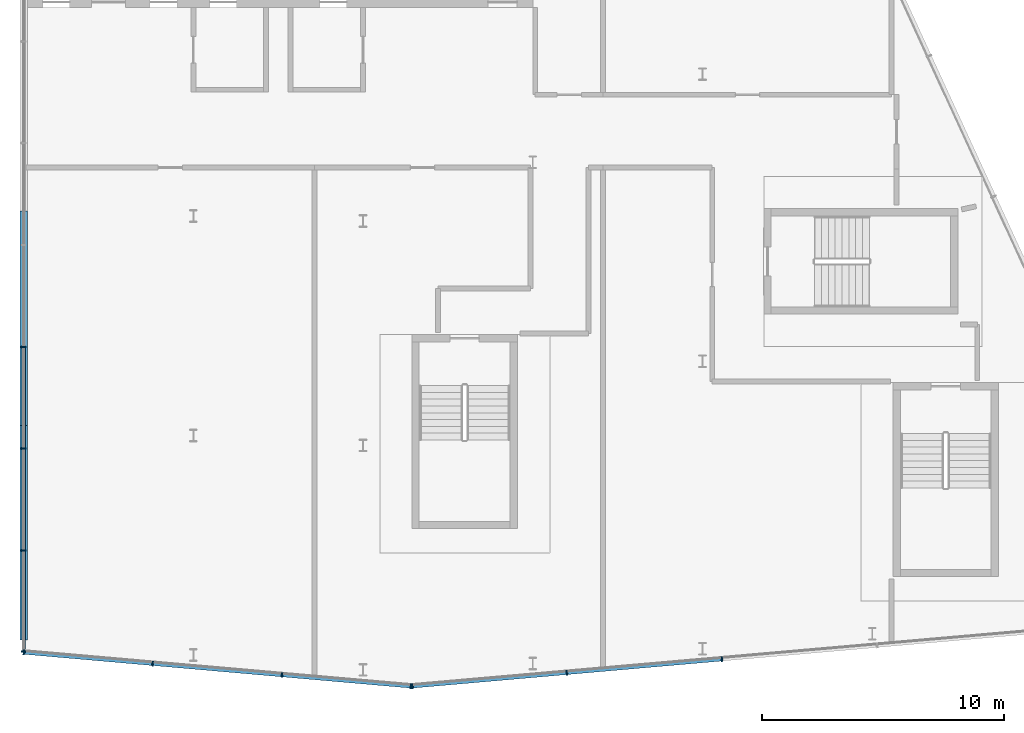
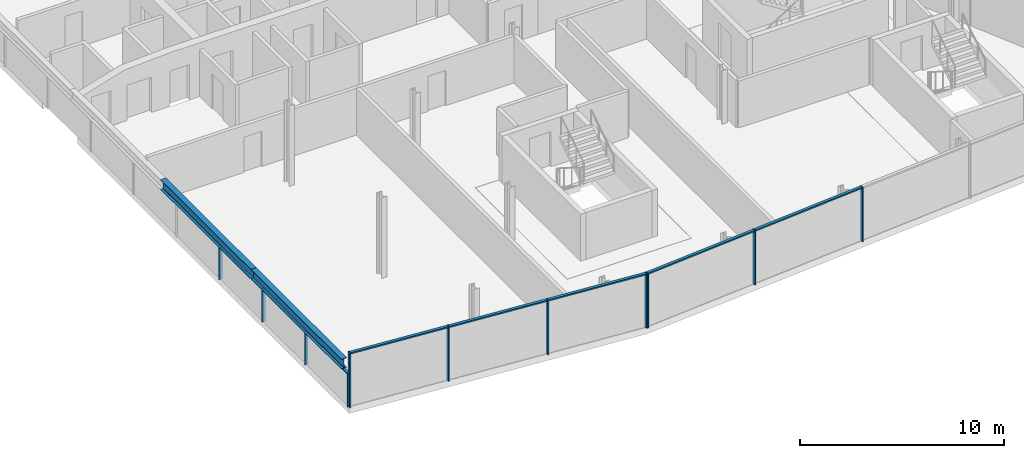
# One storey, part 2 of 13: 19 members, 2 beams, 3 elements without a shape of their own.
"""IFC4 building model written with IfcOpenShell, lengths in metres."""

from ifc_helpers import new_model, si_unit, direction, frame, origin, origin_2d, place, context, subcontext, project, spatial, rectangle, i_section, extrude, material, material_profile, profile_set, type_object, element, aggregate, save


model = new_model("IFC4")

# Units and contexts
model_context = context("Model", 3, precision=1e-05, world=origin(), true_north=direction((0.0, 1.0)))
body_context = subcontext(model_context, "Body", "Model", "MODEL_VIEW")
ifc_project = project(units=[si_unit("LENGTHUNIT", "METRE"), si_unit("AREAUNIT", "SQUARE_METRE"), si_unit("VOLUMEUNIT", "CUBIC_METRE"), si_unit("PLANEANGLEUNIT", "RADIAN"), si_unit("MASSUNIT", "GRAM", prefix="KILO")], contexts=[model_context])

# Site, building, storey
site_placement = place(None, origin())
site = spatial("IfcSite", under=ifc_project, at=site_placement, CompositionType="ELEMENT")
building_placement = place(site_placement, origin())
building = spatial("IfcBuilding", under=site, at=building_placement, Name="Wharfspan Tower", CompositionType="ELEMENT")
storey_placement = place(building_placement, frame((0.0, 0.0, 264.300049)))
storey = spatial("IfcBuildingStorey", under=building, at=storey_placement, Name="L67", CompositionType="ELEMENT", Elevation=264.300049)

# Curtain wall, members
ifc_material_1 = material(Name="Aluminium 6063-T6", Category="aluminium")
curtain_wall_type_1 = type_object("IfcCurtainWallType", Name="CURTAIN WALL CROWN GABLE", PredefinedType="NOTDEFINED", material=ifc_material_1)
curtain_wall_1_placement = place(storey_placement, origin())
curtain_wall_1 = element("IfcCurtainWall", 1, at=curtain_wall_1_placement, inside=storey, type_object=curtain_wall_type_1, Name="Crown gable glazing", PredefinedType="NOTDEFINED")
ifc_material_profile_1 = material_profile(ifc_material_1, rectangle(XDim=0.179932, YDim=0.060059, at=origin_2d()))
ifc_profile_set_1 = profile_set([ifc_material_profile_1], Name="Aluminium 6063-T6")
member_type_1 = type_object("IfcMemberType", Name="MULLION CROWN GABLE 60x180", PredefinedType="MULLION", material=ifc_profile_set_1)
member_1_placement = place(storey_placement, frame((30.0, 7.430176, 0.0), z_axis=(0.0, 0.0, 1.0), x_axis=(-1.0, 0.0, 0.0)))
member_1 = element("IfcMember", 2, at=member_1_placement, type_object=member_type_1, Name="Crown gable glazing mullion 1", PredefinedType="MULLION", context=body_context, shape_type="SweptSolid", body=[
    extrude(rectangle(XDim=0.179932, YDim=0.060059, at=origin_2d()), origin(), (0.0, 0.0, 1.0), 1.98877),
])
member_2_placement = place(storey_placement, frame((30.0, 11.600098, 0.0), z_axis=(0.0, 0.0, 1.0), x_axis=(-1.0, 0.0, 0.0)))
member_2 = element("IfcMember", 3, at=member_2_placement, type_object=member_type_1, Name="Crown gable glazing mullion 2", PredefinedType="MULLION", context=body_context, shape_type="SweptSolid", body=[
    extrude(rectangle(XDim=0.179932, YDim=0.060059, at=origin_2d()), origin(), (0.0, 0.0, 1.0), 1.98877),
])
member_3_placement = place(storey_placement, frame((30.0, 15.800049, 0.0), z_axis=(0.0, 0.0, 1.0), x_axis=(-1.0, 0.0, 0.0)))
member_3 = element("IfcMember", 4, at=member_3_placement, type_object=member_type_1, Name="Crown gable glazing mullion 3", PredefinedType="MULLION", context=body_context, shape_type="SweptSolid", body=[
    extrude(rectangle(XDim=0.179932, YDim=0.060059, at=origin_2d()), origin(), (0.0, 0.0, 1.0), 1.98877),
])
member_4_placement = place(storey_placement, frame((30.0, 20.0, 0.0), z_axis=(0.0, 0.0, 1.0), x_axis=(-1.0, 0.0, 0.0)))
member_4 = element("IfcMember", 5, at=member_4_placement, type_object=member_type_1, Name="Crown gable glazing mullion 4", PredefinedType="MULLION", context=body_context, shape_type="SweptSolid", body=[
    extrude(rectangle(XDim=0.179932, YDim=0.060059, at=origin_2d()), origin(), (0.0, 0.0, 1.0), 1.98877),
])

curtain_wall_type_2 = type_object("IfcCurtainWallType", Name="CURTAIN WALL FACETED FRONT", PredefinedType="NOTDEFINED", material=ifc_material_1)
curtain_wall_2_placement = place(storey_placement, origin())
curtain_wall_2 = element("IfcCurtainWall", 6, at=curtain_wall_2_placement, inside=storey, type_object=curtain_wall_type_2, Name="Crown curtain wall S1", PredefinedType="NOTDEFINED")
ifc_material_profile_2 = material_profile(ifc_material_1, rectangle(XDim=0.199951, YDim=0.060059, at=origin_2d()))
ifc_profile_set_2 = profile_set([ifc_material_profile_2], Name="Aluminium 6063-T6")
member_type_2 = type_object("IfcMemberType", Name="MULLION FACETED FRONT 60x200", PredefinedType="MULLION", material=ifc_profile_set_2)
member_5_placement = place(storey_placement, frame((30.009766, 7.399414, 0.0), z_axis=(0.0, 0.0, 1.0), x_axis=(0.087156, 0.996198, 0.0)))
member_5 = element("IfcMember", 7, at=member_5_placement, type_object=member_type_2, Name="Crown curtain wall S1 mullion 1", PredefinedType="MULLION", context=body_context, shape_type="SweptSolid", body=[
    extrude(rectangle(XDim=0.199951, YDim=0.060059, at=origin_2d()), origin(), (0.0, 0.0, 1.0), 3.264404),
])
member_6_placement = place(storey_placement, frame((35.320068, 6.934814, 0.0), z_axis=(0.0, 0.0, 1.0), x_axis=(0.087156, 0.996198, 0.0)))
member_6 = element("IfcMember", 8, at=member_6_placement, type_object=member_type_2, Name="Crown curtain wall S1 mullion 2", PredefinedType="MULLION", context=body_context, shape_type="SweptSolid", body=[
    extrude(rectangle(XDim=0.199951, YDim=0.060059, at=origin_2d()), origin(), (0.0, 0.0, 1.0), 3.264404),
])
member_7_placement = place(storey_placement, frame((40.659912, 6.467529, 0.0), z_axis=(0.0, 0.0, 1.0), x_axis=(0.087156, 0.996198, 0.0)))
member_7 = element("IfcMember", 9, at=member_7_placement, type_object=member_type_2, Name="Crown curtain wall S1 mullion 3", PredefinedType="MULLION", context=body_context, shape_type="SweptSolid", body=[
    extrude(rectangle(XDim=0.199951, YDim=0.060059, at=origin_2d()), origin(), (0.0, 0.0, 1.0), 3.264404),
])
member_8_placement = place(storey_placement, frame((45.970215, 6.00293, 0.0), z_axis=(0.0, 0.0, 1.0), x_axis=(0.087156, 0.996198, 0.0)))
member_8 = element("IfcMember", 10, at=member_8_placement, type_object=member_type_2, Name="Crown curtain wall S1 mullion 4", PredefinedType="MULLION", context=body_context, shape_type="SweptSolid", body=[
    extrude(rectangle(XDim=0.199951, YDim=0.060059, at=origin_2d()), origin(), (0.0, 0.0, 1.0), 3.264404),
])

curtain_wall_3_placement = place(storey_placement, origin())
curtain_wall_3 = element("IfcCurtainWall", 11, at=curtain_wall_3_placement, inside=storey, type_object=curtain_wall_type_2, Name="Crown curtain wall S2", PredefinedType="NOTDEFINED")
member_9_placement = place(storey_placement, frame((46.029785, 6.00293, 0.0), z_axis=(0.0, 0.0, 1.0), x_axis=(-0.087156, 0.996198, 0.0)))
member_9 = element("IfcMember", 12, at=member_9_placement, type_object=member_type_2, Name="Crown curtain wall S2 mullion 1", PredefinedType="MULLION", context=body_context, shape_type="SweptSolid", body=[
    extrude(rectangle(XDim=0.199951, YDim=0.060059, at=origin_2d()), origin(), (0.0, 0.0, 1.0), 3.264404),
])
member_10_placement = place(storey_placement, frame((52.399902, 6.560303, 0.0), z_axis=(0.0, 0.0, 1.0), x_axis=(-0.087156, 0.996198, 0.0)))
member_10 = element("IfcMember", 13, at=member_10_placement, type_object=member_type_2, Name="Crown curtain wall S2 mullion 2", PredefinedType="MULLION", context=body_context, shape_type="SweptSolid", body=[
    extrude(rectangle(XDim=0.199951, YDim=0.060059, at=origin_2d()), origin(), (0.0, 0.0, 1.0), 3.264404),
])
member_11_placement = place(storey_placement, frame((58.800049, 7.120117, 0.0), z_axis=(0.0, 0.0, 1.0), x_axis=(-0.087156, 0.996198, 0.0)))
member_11 = element("IfcMember", 14, at=member_11_placement, type_object=member_type_2, Name="Crown curtain wall S2 mullion 3", PredefinedType="MULLION", context=body_context, shape_type="SweptSolid", body=[
    extrude(rectangle(XDim=0.199951, YDim=0.060059, at=origin_2d()), origin(), (0.0, 0.0, 1.0), 3.264404),
])

# Beams
ifc_material_2 = material(Name="Steel S355J2", Category="steel")
ifc_material_profile_3 = material_profile(ifc_material_2, i_section(OverallWidth=0.300049, OverallDepth=0.600098, WebThickness=0.015381, FlangeThickness=0.030029, FilletRadius=0.0271, at=origin_2d()))
ifc_profile_set_3 = profile_set([ifc_material_profile_3], Name="Steel S355J2")
beam_type = type_object("IfcBeamType", Name="Roof girder HEB 600", PredefinedType="BEAM", material=ifc_profile_set_3)
beam_1_placement = place(storey_placement, frame((30.0, 7.900146, 2.293701), z_axis=(0.0, 1.0, 0.0), x_axis=(-1.0, 0.0, 0.0)))
element("IfcBeam", 15, at=beam_1_placement, inside=storey, type_object=beam_type, Name="Roof girder G2 8 to 17", PredefinedType="BEAM", context=body_context, shape_type="SweptSolid", body=[
    extrude(i_section(OverallWidth=0.300049, OverallDepth=0.600098, WebThickness=0.015381, FlangeThickness=0.030029, FilletRadius=0.0271, at=origin_2d()), origin(), (0.0, 0.0, 1.0), 8.849854),
])
beam_2_placement = place(storey_placement, frame((30.0, 16.75, 2.293701), z_axis=(0.0, 1.0, 0.0), x_axis=(-1.0, 0.0, 0.0)))
element("IfcBeam", 16, at=beam_2_placement, inside=storey, type_object=beam_type, Name="Roof girder G2 17 to 26", PredefinedType="BEAM", context=body_context, shape_type="SweptSolid", body=[
    extrude(i_section(OverallWidth=0.300049, OverallDepth=0.600098, WebThickness=0.015381, FlangeThickness=0.030029, FilletRadius=0.0271, at=origin_2d()), origin(), (0.0, 0.0, 1.0), 8.850098),
])

# Member
ifc_material_profile_4 = material_profile(ifc_material_1, rectangle(XDim=0.139893, YDim=0.070068, at=origin_2d()))
ifc_profile_set_4 = profile_set([ifc_material_profile_4], Name="Aluminium 6063-T6")
member_type_3 = type_object("IfcMemberType", Name="TRANSOM CROWN GABLE 70x140", PredefinedType="USERDEFINED", material=ifc_profile_set_4)
member_12_placement = place(storey_placement, frame((30.0, 7.460205, 1.953613), z_axis=(0.0, 1.0, 0.0), x_axis=(-1.0, 0.0, 0.0)))
member_12 = element("IfcMember", 17, at=member_12_placement, type_object=member_type_3, Name="Crown gable glazing transom 1", ObjectType="TRANSOM", PredefinedType="USERDEFINED", context=body_context, shape_type="SweptSolid", body=[
    extrude(rectangle(XDim=0.139893, YDim=0.070068, at=origin_2d()), origin(), (0.0, 0.0, 1.0), 4.109863),
])

member_13_placement = place(storey_placement, frame((30.0, 11.630127, 1.953613), z_axis=(0.0, 1.0, 0.0), x_axis=(-1.0, 0.0, 0.0)))
member_13 = element("IfcMember", 18, at=member_13_placement, type_object=member_type_3, Name="Crown gable glazing transom 2", ObjectType="TRANSOM", PredefinedType="USERDEFINED", context=body_context, shape_type="SweptSolid", body=[
    extrude(rectangle(XDim=0.139893, YDim=0.070068, at=origin_2d()), origin(), (0.0, 0.0, 1.0), 4.139893),
])

member_14_placement = place(storey_placement, frame((30.0, 15.830078, 1.953613), z_axis=(0.0, 1.0, 0.0), x_axis=(-1.0, 0.0, 0.0)))
member_14 = element("IfcMember", 19, at=member_14_placement, type_object=member_type_3, Name="Crown gable glazing transom 3", ObjectType="TRANSOM", PredefinedType="USERDEFINED", context=body_context, shape_type="SweptSolid", body=[
    extrude(rectangle(XDim=0.139893, YDim=0.070068, at=origin_2d()), origin(), (0.0, 0.0, 1.0), 4.139893),
])

aggregate(curtain_wall_1, [member_1, member_2, member_3, member_4, member_12, member_13, member_14])

ifc_material_profile_5 = material_profile(ifc_material_1, rectangle(XDim=0.159912, YDim=0.080078, at=origin_2d()))
ifc_profile_set_5 = profile_set([ifc_material_profile_5], Name="Aluminium 6063-T6")
member_type_4 = type_object("IfcMemberType", Name="TRANSOM FACETED FRONT 80x160", PredefinedType="USERDEFINED", material=ifc_profile_set_5)
member_15_placement = place(storey_placement, frame((30.039795, 7.396729, 3.224365), z_axis=(0.996192, -0.087181, 0.0), x_axis=(0.087181, 0.996192, 0.0)))
member_15 = element("IfcMember", 20, at=member_15_placement, type_object=member_type_4, Name="Crown curtain wall S1 transom 1", ObjectType="TRANSOM", PredefinedType="USERDEFINED", context=body_context, shape_type="SweptSolid", body=[
    extrude(rectangle(XDim=0.159912, YDim=0.080078, at=origin_2d()), origin(), (0.0, 0.0, 1.0), 5.270264),
])

member_16_placement = place(storey_placement, frame((35.349854, 6.932129, 3.224365), z_axis=(0.996196, -0.087146, 0.0), x_axis=(0.087146, 0.996196, 0.0)))
member_16 = element("IfcMember", 21, at=member_16_placement, type_object=member_type_4, Name="Crown curtain wall S1 transom 2", ObjectType="TRANSOM", PredefinedType="USERDEFINED", context=body_context, shape_type="SweptSolid", body=[
    extrude(rectangle(XDim=0.159912, YDim=0.080078, at=origin_2d()), origin(), (0.0, 0.0, 1.0), 5.300537),
])

member_17_placement = place(storey_placement, frame((40.689941, 6.464844, 3.224365), z_axis=(0.996196, -0.087135, 0.0), x_axis=(0.087135, 0.996196, 0.0)))
member_17 = element("IfcMember", 22, at=member_17_placement, type_object=member_type_4, Name="Crown curtain wall S1 transom 3", ObjectType="TRANSOM", PredefinedType="USERDEFINED", context=body_context, shape_type="SweptSolid", body=[
    extrude(rectangle(XDim=0.159912, YDim=0.080078, at=origin_2d()), origin(), (0.0, 0.0, 1.0), 5.270264),
])

aggregate(curtain_wall_2, [member_5, member_6, member_7, member_8, member_15, member_16, member_17])

member_18_placement = place(storey_placement, frame((46.059814, 6.005615, 3.224365), z_axis=(0.996196, 0.087144, 0.0), x_axis=(-0.087144, 0.996196, 0.0)))
member_18 = element("IfcMember", 23, at=member_18_placement, type_object=member_type_4, Name="Crown curtain wall S2 transom 1", ObjectType="TRANSOM", PredefinedType="USERDEFINED", context=body_context, shape_type="SweptSolid", body=[
    extrude(rectangle(XDim=0.159912, YDim=0.080078, at=origin_2d()), origin(), (0.0, 0.0, 1.0), 6.334473),
])

member_19_placement = place(storey_placement, frame((52.429932, 6.562988, 3.224365), z_axis=(0.996195, 0.087156, 0.0), x_axis=(-0.087156, 0.996195, 0.0)))
member_19 = element("IfcMember", 24, at=member_19_placement, type_object=member_type_4, Name="Crown curtain wall S2 transom 2", ObjectType="TRANSOM", PredefinedType="USERDEFINED", context=body_context, shape_type="SweptSolid", body=[
    extrude(rectangle(XDim=0.159912, YDim=0.080078, at=origin_2d()), origin(), (0.0, 0.0, 1.0), 6.364258),
])

aggregate(curtain_wall_3, [member_9, member_10, member_11, member_18, member_19])

save(model, "model.ifc")
